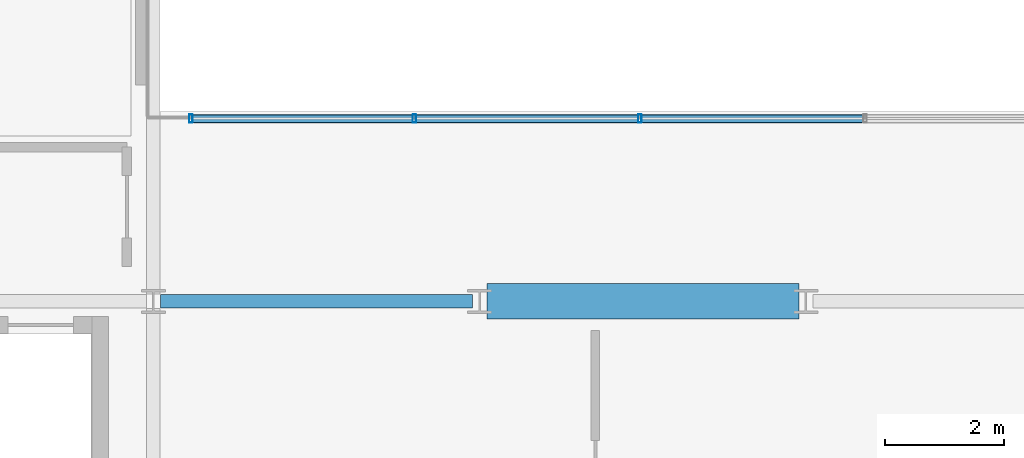
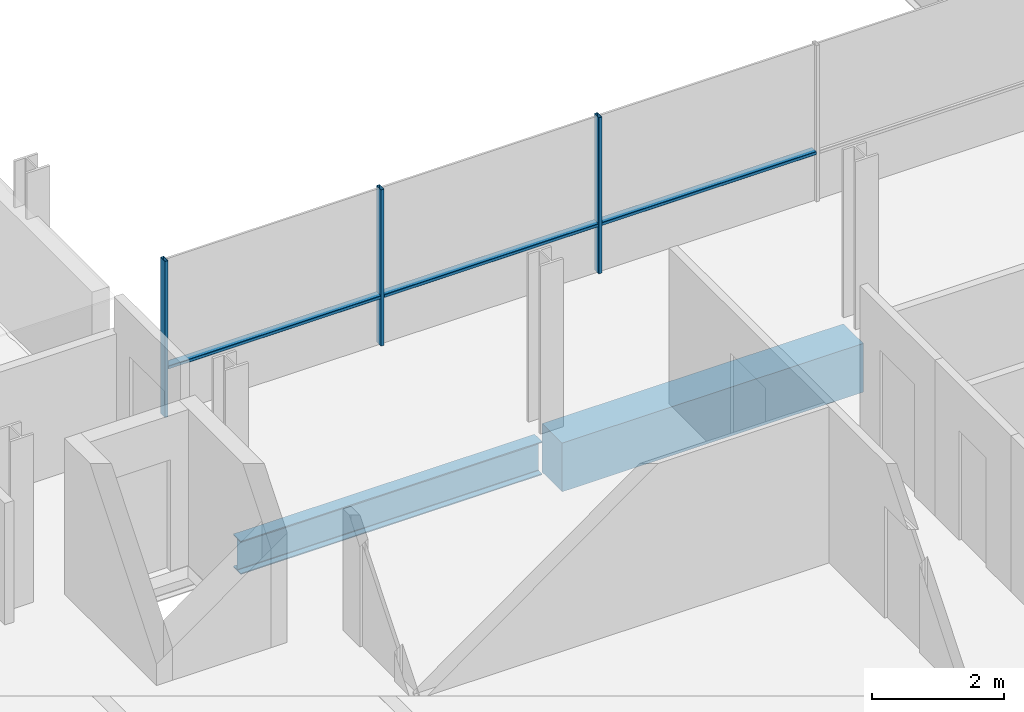
# One storey, part 6 of 41: 6 members, 2 beams, 1 element without a shape of its own.
"""IFC4 building model written with IfcOpenShell, lengths in metres."""

from ifc_helpers import new_model, si_unit, direction, frame, origin, origin_2d, place, context, subcontext, project, spatial, rectangle, hollow_rectangle, i_section, extrude, material, layer, layer_set, material_profile, profile_set, type_object, element, aggregate, save


model = new_model("IFC4")

# Units and contexts
model_context = context("Model", 3, precision=1e-05, world=origin(), true_north=direction((0.0, 1.0)))
body_context = subcontext(model_context, "Body", "Model", "MODEL_VIEW")
ifc_project = project(units=[si_unit("LENGTHUNIT", "METRE"), si_unit("AREAUNIT", "SQUARE_METRE"), si_unit("VOLUMEUNIT", "CUBIC_METRE"), si_unit("PLANEANGLEUNIT", "RADIAN"), si_unit("MASSUNIT", "GRAM", prefix="KILO")], contexts=[model_context])

# Site, building, storey
site_placement = place(None, origin())
site = spatial("IfcSite", under=ifc_project, at=site_placement, CompositionType="ELEMENT")
building_placement = place(site_placement, origin())
building = spatial("IfcBuilding", under=site, at=building_placement, Name="Brevholm Reach", CompositionType="ELEMENT")
storey_placement = place(building_placement, frame((0.0, 0.0, 151.10009765625)))
storey = spatial("IfcBuildingStorey", under=building, at=storey_placement, Name="L45", CompositionType="ELEMENT", Elevation=151.10009765625)

# Beams
ifc_material_1 = material(Name="Concrete C50/60", Category="concrete")
ifc_material_profile_1 = material_profile(ifc_material_1, rectangle(XDim=0.60009765625, YDim=0.89990234375, at=origin_2d()), Name="RC 600x900")
ifc_profile_set_1 = profile_set([ifc_material_profile_1], Name="Concrete C50/60")
beam_type_1 = type_object("IfcBeamType", Name="BM-CB600", PredefinedType="LINTEL", material=ifc_profile_set_1)
beam_1_placement = place(storey_placement, frame((27.3701171875, 10.0, -0.670166015625), z_axis=(1.0, 0.0, 0.0), x_axis=(0.0, 1.0, 0.0)))
element("IfcBeam", 1, at=beam_1_placement, inside=storey, type_object=beam_type_1, Name="L45 CB-02 Framing Beam", PredefinedType="LINTEL", context=body_context, shape_type="SweptSolid", body=[
    extrude(rectangle(XDim=0.60009765625, YDim=0.89990234375, at=origin_2d()), origin(), (0.0, 0.0, 1.0), 5.259765625),
])
ifc_material_2 = material(Name="Structural Steel S355J2", Category="steel")
ifc_material_profile_2 = material_profile(ifc_material_2, i_section(OverallWidth=0.22900390625, OverallDepth=0.6123046875, WebThickness=0.011962890625, FlangeThickness=0.01953125, FilletRadius=0.0126953125, at=origin_2d()), Name="UKB 610x229x125")
ifc_profile_set_2 = profile_set([ifc_material_profile_2], Name="Structural Steel S355J2")
beam_type_2 = type_object("IfcBeamType", Name="BM-SP610", PredefinedType="SPANDREL", material=ifc_profile_set_2)
beam_2_placement = place(storey_placement, frame((21.8701171875, 10.0, -0.526123046875), z_axis=(1.0, 0.0, 0.0), x_axis=(0.0, 1.0, 0.0)))
element("IfcBeam", 2, at=beam_2_placement, inside=storey, type_object=beam_type_2, Name="L45 SP-01 Framing Beam", PredefinedType="SPANDREL", context=body_context, shape_type="SweptSolid", body=[
    extrude(i_section(OverallWidth=0.22900390625, OverallDepth=0.6123046875, WebThickness=0.011962890625, FlangeThickness=0.01953125, FilletRadius=0.0126953125, at=origin_2d()), origin(), (0.0, 0.0, 1.0), 5.259765625),
])

# Curtain wall, members
ifc_material_3 = material(Name="Dark Anodised Aluminium 6063-T6 and Solar-Control Glass", Category="aluminium")
ifc_layer = layer(ifc_material_3, 0.139892578125)
ifc_layer_set = layer_set([ifc_layer], Name="Dark Anodised Aluminium 6063-T6 and Solar-Control Glass")
curtain_wall_type = type_object("IfcCurtainWallType", Name="CW-02", PredefinedType="NOTDEFINED", material=ifc_layer_set)
curtain_wall_placement = place(storey_placement, origin())
curtain_wall = element("IfcCurtainWall", 3, at=curtain_wall_placement, inside=storey, type_object=curtain_wall_type, Name="L45 Curtain Wall CW-02", PredefinedType="NOTDEFINED")
ifc_material_4 = material(Name="Dark Anodised Aluminium 6063-T6", Category="aluminium")
ifc_material_profile_3 = material_profile(ifc_material_4, hollow_rectangle(XDim=0.06005859375, YDim=0.139892578125, WallThickness=0.0048828125, InnerFilletRadius=0.0048828125, OuterFilletRadius=0.010009765625, at=origin_2d()), Name="RHS 140x60x5")
ifc_profile_set_3 = profile_set([ifc_material_profile_3], Name="Dark Anodised Aluminium 6063-T6")
member_type_1 = type_object("IfcMemberType", Name="CWM-140", PredefinedType="MULLION", material=ifc_profile_set_3)
member_1_placement = place(storey_placement, frame((22.3798828125, 13.080078125, 0.0), z_axis=(0.0, 0.0, 1.0), x_axis=(1.0, 0.0, 0.0)))
member_1 = element("IfcMember", 4, at=member_1_placement, type_object=member_type_1, Name="CM-140 Mullion 1", PredefinedType="MULLION", context=body_context, shape_type="SweptSolid", body=[
    extrude(hollow_rectangle(XDim=0.06005859375, YDim=0.139892578125, WallThickness=0.0048828125, InnerFilletRadius=0.0048828125, OuterFilletRadius=0.010009765625, at=origin_2d()), origin(), (0.0, 0.0, 1.0), 2.8798828125),
])
member_2_placement = place(storey_placement, frame((26.14990234375, 13.080078125, 0.0), z_axis=(0.0, 0.0, 1.0), x_axis=(1.0, 0.0, 0.0)))
member_2 = element("IfcMember", 5, at=member_2_placement, type_object=member_type_1, Name="CM-140 Mullion 2", PredefinedType="MULLION", context=body_context, shape_type="SweptSolid", body=[
    extrude(hollow_rectangle(XDim=0.06005859375, YDim=0.139892578125, WallThickness=0.0048828125, InnerFilletRadius=0.0048828125, OuterFilletRadius=0.010009765625, at=origin_2d()), origin(), (0.0, 0.0, 1.0), 2.8798828125),
])
member_3_placement = place(storey_placement, frame((29.949951171875, 13.080078125, 0.0), z_axis=(0.0, 0.0, 1.0), x_axis=(1.0, 0.0, 0.0)))
member_3 = element("IfcMember", 6, at=member_3_placement, type_object=member_type_1, Name="CM-140 Mullion 3", PredefinedType="MULLION", context=body_context, shape_type="SweptSolid", body=[
    extrude(hollow_rectangle(XDim=0.06005859375, YDim=0.139892578125, WallThickness=0.0048828125, InnerFilletRadius=0.0048828125, OuterFilletRadius=0.010009765625, at=origin_2d()), origin(), (0.0, 0.0, 1.0), 2.8798828125),
])
ifc_material_5 = material(Name="Dark Anodised Aluminium 6063-T6", Category="aluminium")
ifc_material_profile_4 = material_profile(ifc_material_5, hollow_rectangle(XDim=0.06005859375, YDim=0.139892578125, WallThickness=0.0048828125, InnerFilletRadius=0.0048828125, OuterFilletRadius=0.010009765625, at=origin_2d()), Name="RHS 140x60x5")
ifc_profile_set_4 = profile_set([ifc_material_profile_4], Name="Dark Anodised Aluminium 6063-T6")
member_type_2 = type_object("IfcMemberType", Name="CWT-140", PredefinedType="NOTDEFINED", material=ifc_profile_set_4)
member_4_placement = place(storey_placement, frame((22.409912109375, 13.080078125, 0.89990234375), z_axis=(1.0, 0.0, 0.0), x_axis=(0.0, 0.0, 1.0)))
member_4 = element("IfcMember", 7, at=member_4_placement, type_object=member_type_2, Name="CT-140 Transom 1.1", ObjectType="TRANSOM", PredefinedType="USERDEFINED", context=body_context, shape_type="SweptSolid", body=[
    extrude(hollow_rectangle(XDim=0.06005859375, YDim=0.139892578125, WallThickness=0.0048828125, InnerFilletRadius=0.0048828125, OuterFilletRadius=0.010009765625, at=origin_2d()), origin(), (0.0, 0.0, 1.0), 3.710205078125),
])
member_5_placement = place(storey_placement, frame((26.179931640625, 13.080078125, 0.89990234375), z_axis=(1.0, 0.0, 0.0), x_axis=(0.0, 0.0, 1.0)))
member_5 = element("IfcMember", 8, at=member_5_placement, type_object=member_type_2, Name="CT-140 Transom 2.1", ObjectType="TRANSOM", PredefinedType="USERDEFINED", context=body_context, shape_type="SweptSolid", body=[
    extrude(hollow_rectangle(XDim=0.06005859375, YDim=0.139892578125, WallThickness=0.0048828125, InnerFilletRadius=0.0048828125, OuterFilletRadius=0.010009765625, at=origin_2d()), origin(), (0.0, 0.0, 1.0), 3.739990234375),
])
member_6_placement = place(storey_placement, frame((29.97998046875, 13.080078125, 0.89990234375), z_axis=(1.0, 0.0, 0.0), x_axis=(0.0, 0.0, 1.0)))
member_6 = element("IfcMember", 9, at=member_6_placement, type_object=member_type_2, Name="CT-140 Transom 3.1", ObjectType="TRANSOM", PredefinedType="USERDEFINED", context=body_context, shape_type="SweptSolid", body=[
    extrude(hollow_rectangle(XDim=0.06005859375, YDim=0.139892578125, WallThickness=0.0048828125, InnerFilletRadius=0.0048828125, OuterFilletRadius=0.010009765625, at=origin_2d()), origin(), (0.0, 0.0, 1.0), 3.739990234375),
])
aggregate(curtain_wall, [member_1, member_2, member_3, member_4, member_5, member_6])

save(model, "model.ifc")
